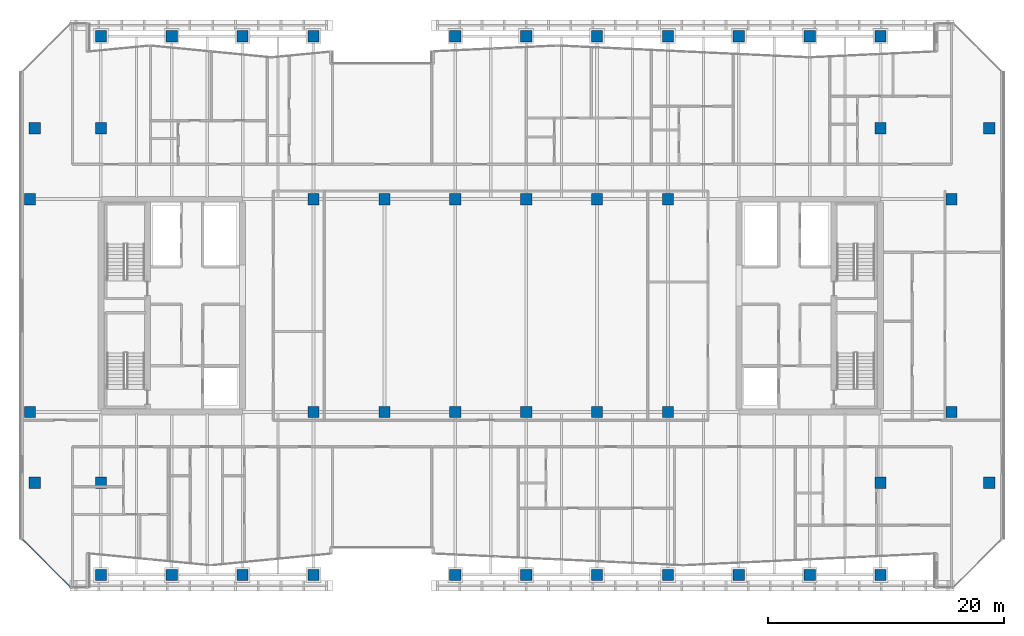
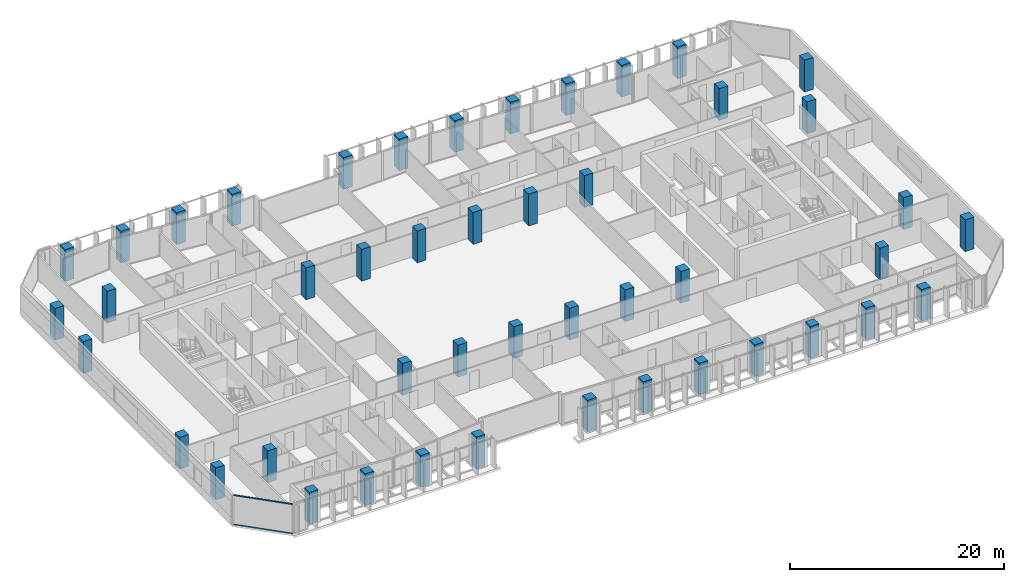
# One storey, part 1 of 39: 46 columns, 2 members, 1 element without a shape of its own.
"""IFC4 building model written with IfcOpenShell, lengths in metres."""

from ifc_helpers import new_model, si_unit, direction, frame, origin, origin_2d, place, context, subcontext, project, spatial, rectangle, hollow_rectangle, extrude, material, layer, layer_set, material_profile, profile_set, type_object, element, aggregate, save


model = new_model("IFC4")

# Units and contexts
model_context = context("Model", 3, precision=1e-05, world=origin(), true_north=direction((0.0, 1.0)))
body_context = subcontext(model_context, "Body", "Model", "MODEL_VIEW")
ifc_project = project(units=[si_unit("LENGTHUNIT", "METRE"), si_unit("AREAUNIT", "SQUARE_METRE"), si_unit("VOLUMEUNIT", "CUBIC_METRE"), si_unit("PLANEANGLEUNIT", "RADIAN"), si_unit("MASSUNIT", "GRAM", prefix="KILO")], contexts=[model_context])

# Site, building, storey
site_placement = place(None, origin())
site = spatial("IfcSite", under=ifc_project, at=site_placement, CompositionType="ELEMENT")
building_placement = place(site_placement, origin())
building = spatial("IfcBuilding", under=site, at=building_placement, Name="Tanjung Sevakor Pilgrim Tower", CompositionType="ELEMENT")
storey_placement = place(building_placement, frame((0.0, 0.0, 112.199951171875)))
storey = spatial("IfcBuildingStorey", under=building, at=storey_placement, Name="L31", CompositionType="ELEMENT", Elevation=112.199951171875)

# Columns
ifc_material_1 = material(Name="Concrete C60/75", Category="concrete")
ifc_material_profile_1 = material_profile(ifc_material_1, rectangle(XDim=0.949951171875, YDim=0.949951171875, at=origin_2d()))
ifc_profile_set_1 = profile_set([ifc_material_profile_1], Name="Concrete C60/75")
column_type = type_object("IfcColumnType", Name="COL-C-T950-RC_950x950", PredefinedType="COLUMN", material=ifc_profile_set_1)
for number, where, z_axis, x_axis, name in (
    (1, (18.0, 24.60009765625, 0.0), (0.0, 0.0, 1.0), (1.0, 0.0, 0.0), "L31 Column SPW-018-246"),
    (2, (18.0, 42.60009765625, 0.0), (0.0, 0.0, 1.0), (1.0, 0.0, 0.0), "L31 Column SPW-018-426"),
    (3, (42.0, 24.60009765625, 0.0), (0.0, 0.0, 1.0), (1.0, 0.0, 0.0), "L31 Column SPW-042-246"),
    (4, (42.0, 42.60009765625, 0.0), (0.0, 0.0, 1.0), (1.0, 0.0, 0.0), "L31 Column SPW-042-426"),
    (5, (48.0, 24.60009765625, 0.0), (0.0, 0.0, 1.0), (1.0, 0.0, 0.0), "L31 Column SPW-048-246"),
    (6, (48.0, 42.60009765625, 0.0), (0.0, 0.0, 1.0), (1.0, 0.0, 0.0), "L31 Column SPW-048-426"),
    (7, (54.0, 24.60009765625, 0.0), (0.0, 0.0, 1.0), (1.0, 0.0, 0.0), "L31 Column SPE-054-246"),
    (8, (54.0, 42.60009765625, 0.0), (0.0, 0.0, 1.0), (1.0, 0.0, 0.0), "L31 Column SPE-054-426"),
    (9, (60.0, 24.60009765625, 0.0), (0.0, 0.0, 1.0), (1.0, 0.0, 0.0), "L31 Column SPE-060-246"),
    (10, (60.0, 42.60009765625, 0.0), (0.0, 0.0, 1.0), (1.0, 0.0, 0.0), "L31 Column SPE-060-426"),
    (11, (66.0, 24.60009765625, 0.0), (0.0, 0.0, 1.0), (1.0, 0.0, 0.0), "L31 Column SPE-066-246"),
    (12, (66.0, 42.60009765625, 0.0), (0.0, 0.0, 1.0), (1.0, 0.0, 0.0), "L31 Column SPE-066-426"),
    (13, (72.0, 24.60009765625, 0.0), (0.0, 0.0, 1.0), (1.0, 0.0, 0.0), "L31 Column SPE-072-246"),
    (14, (72.0, 42.60009765625, 0.0), (0.0, 0.0, 1.0), (1.0, 0.0, 0.0), "L31 Column SPE-072-426"),
    (15, (96.0, 24.60009765625, 0.0), (0.0, 0.0, 1.0), (1.0, 0.0, 0.0), "L31 Column SPE-096-246"),
    (16, (96.0, 42.60009765625, 0.0), (0.0, 0.0, 1.0), (1.0, 0.0, 0.0), "L31 Column SPE-096-426"),
    (17, (18.39990234375, 18.60009765625, 0.0), (0.0, 0.0, 1.0), (1.0, 0.0, 0.0), "L31 Column TCE-0184-186"),
    (18, (18.39990234375, 48.60009765625, 0.0), (0.0, 0.0, 1.0), (1.0, 0.0, 0.0), "L31 Column TCE-0184-486"),
    (19, (24.0, 18.60009765625, 0.0), (0.0, 0.0, 1.0), (1.0, 0.0, 0.0), "L31 Column TCE-0240-186"),
    (20, (24.0, 48.60009765625, 0.0), (0.0, 0.0, 1.0), (1.0, 0.0, 0.0), "L31 Column TCE-0240-486"),
    (21, (90.0, 18.60009765625, 0.0), (0.0, 0.0, 1.0), (1.0, 0.0, 0.0), "L31 Column TCE-0900-186"),
    (22, (90.0, 48.60009765625, 0.0), (0.0, 0.0, 1.0), (1.0, 0.0, 0.0), "L31 Column TCE-0900-486"),
    (23, (99.199951171875, 18.60009765625, 0.0), (0.0, 0.0, 1.0), (1.0, 0.0, 0.0), "L31 Column TCE-0992-186"),
    (24, (99.199951171875, 48.60009765625, 0.0), (0.0, 0.0, 1.0), (1.0, 0.0, 0.0), "L31 Column TCE-0992-486"),
    (25, (24.0, 10.800048828125, 0.0), (0.0, 0.0, 1.0), (1.0, 0.0, 0.0), "L31 Column TC2-024-108"),
    (26, (24.0, 56.39990234375, 0.0), (0.0, 0.0, 1.0), (1.0, 0.0, 0.0), "L31 Column TC2-024-564"),
    (27, (30.0, 10.800048828125, 0.0), (0.0, 0.0, 1.0), (1.0, 0.0, 0.0), "L31 Column TC2-030-108"),
    (28, (30.0, 56.39990234375, 0.0), (0.0, 0.0, 1.0), (1.0, 0.0, 0.0), "L31 Column TC2-030-564"),
    (29, (36.0, 10.800048828125, 0.0), (0.0, 0.0, 1.0), (1.0, 0.0, 0.0), "L31 Column TC2-036-108"),
    (30, (36.0, 56.39990234375, 0.0), (0.0, 0.0, 1.0), (1.0, 0.0, 0.0), "L31 Column TC2-036-564"),
    (31, (42.0, 10.800048828125, 0.0), (0.0, 0.0, 1.0), (1.0, 0.0, 0.0), "L31 Column TC2-042-108"),
    (32, (42.0, 56.39990234375, 0.0), (0.0, 0.0, 1.0), (1.0, 0.0, 0.0), "L31 Column TC2-042-564"),
    (33, (54.0, 10.800048828125, 0.0), (0.0, 0.0, 1.0), (1.0, 0.0, 0.0), "L31 Column TC2-054-108"),
    (34, (54.0, 56.39990234375, 0.0), (0.0, 0.0, 1.0), (1.0, 0.0, 0.0), "L31 Column TC2-054-564"),
    (35, (60.0, 10.800048828125, 0.0), (0.0, 0.0, 1.0), (1.0, 0.0, 0.0), "L31 Column TC2-060-108"),
    (36, (60.0, 56.39990234375, 0.0), (0.0, 0.0, 1.0), (1.0, 0.0, 0.0), "L31 Column TC2-060-564"),
    (37, (66.0, 10.800048828125, 0.0), (0.0, 0.0, 1.0), (1.0, 0.0, 0.0), "L31 Column TC2-066-108"),
    (38, (66.0, 56.39990234375, 0.0), (0.0, 0.0, 1.0), (1.0, 0.0, 0.0), "L31 Column TC2-066-564"),
    (39, (72.0, 10.800048828125, 0.0), (0.0, 0.0, 1.0), (1.0, 0.0, 0.0), "L31 Column TC2-072-108"),
    (40, (72.0, 56.39990234375, 0.0), (0.0, 0.0, 1.0), (1.0, 0.0, 0.0), "L31 Column TC2-072-564"),
    (41, (78.0, 10.800048828125, 0.0), (0.0, 0.0, 1.0), (1.0, 0.0, 0.0), "L31 Column TC2-078-108"),
    (42, (78.0, 56.39990234375, 0.0), (0.0, 0.0, 1.0), (1.0, 0.0, 0.0), "L31 Column TC2-078-564"),
    (43, (84.0, 10.800048828125, 0.0), (0.0, 0.0, 1.0), (1.0, 0.0, 0.0), "L31 Column TC2-084-108"),
    (44, (84.0, 56.39990234375, 0.0), (0.0, 0.0, 1.0), (1.0, 0.0, 0.0), "L31 Column TC2-084-564"),
    (45, (90.0, 10.800048828125, 0.0), (0.0, 0.0, 1.0), (1.0, 0.0, 0.0), "L31 Column TC2-090-108"),
    (46, (90.0, 56.39990234375, 0.0), (0.0, 0.0, 1.0), (1.0, 0.0, 0.0), "L31 Column TC2-090-564"),
):
    element("IfcColumn", number, at=place(storey_placement, frame(where, z_axis=z_axis, x_axis=x_axis)), inside=storey, type_object=column_type, Name=name, PredefinedType="COLUMN", context=body_context, shape_type="SweptSolid", body=[
        extrude(rectangle(XDim=0.949951171875, YDim=0.949951171875, at=origin_2d()), origin(), (0.0, 0.0, 1.0), 3.630126953125),
    ])

# Curtain wall, members
ifc_material_2 = material(Name="Aluminium 6063-T6 and Low-E Glass", Category="aluminium")
ifc_layer = layer(ifc_material_2, 0.179931640625)
ifc_layer_set = layer_set([ifc_layer], Name="CW-SYS-CHAM")
curtain_wall_type = type_object("IfcCurtainWallType", Name="CW-SYS-CHAM", PredefinedType="NOTDEFINED", material=ifc_layer_set)
curtain_wall_placement = place(storey_placement, origin())
curtain_wall = element("IfcCurtainWall", 47, at=curtain_wall_placement, inside=storey, type_object=curtain_wall_type, Name="L31 Curtain Wall CW-CHM-L31-MAIN-35", PredefinedType="NOTDEFINED")
ifc_material_3 = material(Name="Aluminium 6063-T6", Category="aluminium")
ifc_material_profile_2 = material_profile(ifc_material_3, hollow_rectangle(XDim=0.06494140625, YDim=0.139892578125, WallThickness=0.00390625, at=origin_2d()))
ifc_profile_set_2 = profile_set([ifc_material_profile_2], Name="Aluminium 6063-T6")
member_type = type_object("IfcMemberType", Name="TYPE-CWT-1", PredefinedType="USERDEFINED", material=ifc_profile_set_2)
member_1_placement = place(storey_placement, frame((17.370849609375, 13.805908203125, 0.032470703125), z_axis=(0.707106781187, -0.707106781187, 0.0), x_axis=(0.707106781187, 0.707106781187, 0.0)))
member_1 = element("IfcMember", 48, at=member_1_placement, type_object=member_type, Name="CW-CHM transom 1.1", ObjectType="TRANSOM", PredefinedType="USERDEFINED", context=body_context, shape_type="SweptSolid", body=[
    extrude(hollow_rectangle(XDim=0.06494140625, YDim=0.139892578125, WallThickness=0.00390625, at=origin_2d()), origin(), (0.0, 0.0, 1.0), 5.706298828125),
])
member_2_placement = place(storey_placement, frame((17.370849609375, 13.805908203125, 3.37744140625), z_axis=(0.707106781187, -0.707106781187, 0.0), x_axis=(0.707106781187, 0.707106781187, 0.0)))
member_2 = element("IfcMember", 49, at=member_2_placement, type_object=member_type, Name="CW-CHM transom 1.2", ObjectType="TRANSOM", PredefinedType="USERDEFINED", context=body_context, shape_type="SweptSolid", body=[
    extrude(hollow_rectangle(XDim=0.06494140625, YDim=0.139892578125, WallThickness=0.00390625, at=origin_2d()), origin(), (0.0, 0.0, 1.0), 5.706298828125),
])
aggregate(curtain_wall, [member_1, member_2])

save(model, "model.ifc")
